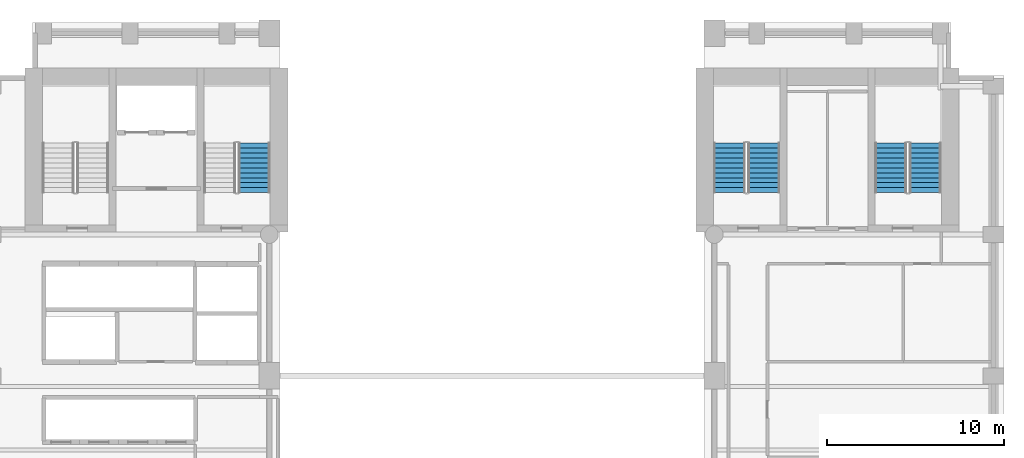
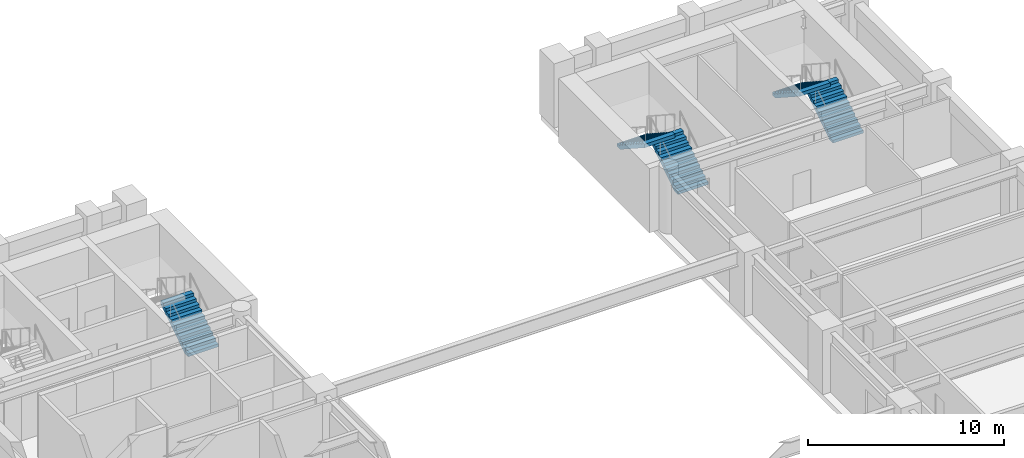
# One storey, part 5 of 7: 5 stair flights, 3 elements without a shape of their own.
"""IFC4 building model written with IfcOpenShell, lengths in metres."""

from ifc_helpers import new_model, si_unit, direction, frame, origin, place, context, subcontext, project, spatial, polyline, outline, extrude, material, type_object, element, aggregate, save


model = new_model("IFC4")

# Units and contexts
model_context = context("Model", 3, precision=1e-05, world=origin(), true_north=direction((0.0, 1.0)))
body_context = subcontext(model_context, "Body", "Model", "MODEL_VIEW")
ifc_project = project(units=[si_unit("LENGTHUNIT", "METRE"), si_unit("AREAUNIT", "SQUARE_METRE"), si_unit("VOLUMEUNIT", "CUBIC_METRE"), si_unit("PLANEANGLEUNIT", "RADIAN"), si_unit("MASSUNIT", "GRAM", prefix="KILO")], contexts=[model_context])

# Site, building, storey
site_placement = place(None, origin())
site = spatial("IfcSite", under=ifc_project, at=site_placement, CompositionType="ELEMENT")
building_placement = place(site_placement, origin())
building = spatial("IfcBuilding", under=site, at=building_placement, Name="Sulina Concourse Tower", CompositionType="ELEMENT")
storey_placement = place(building_placement, frame((0.0, 0.0, 26.60009765625)))
storey = spatial("IfcBuildingStorey", under=building, at=storey_placement, Name="L06", CompositionType="ELEMENT", Elevation=26.60009765625)

# Stair, stair flights
ifc_material_1 = material(Name="Concrete C50/60", Category="concrete")
stair_type_1 = type_object("IfcStairType", Name="Portal & Podium Core Exit Stair 1820mm", PredefinedType="HALF_TURN_STAIR", material=ifc_material_1)
stair_1_placement = place(storey_placement, origin())
stair_1 = element("IfcStair", 1, at=stair_1_placement, inside=storey, type_object=stair_type_1, Name="L06 ST-3", PredefinedType="HALF_TURN_STAIR")
ifc_material_2 = material(Name="Concrete C50/60", Category="concrete")
stair_flight_type_1 = type_object("IfcStairFlightType", Name="Portal & Podium Core Exit Stair 1820mm Flight", PredefinedType="STRAIGHT", material=ifc_material_2)
stair_flight_1_placement = place(storey_placement, frame((44.405029296875, 36.375, 0.0), z_axis=(0.0, 0.0, 1.0), x_axis=(0.0, 1.0, 0.0)))
stair_flight_1 = element("IfcStairFlight", 2, at=stair_flight_1_placement, type_object=stair_flight_type_1, Name="ST-3 flight 1", NumberOfRisers=11, NumberOfTreads=10, PredefinedType="STRAIGHT", RiserHeight=0.181818182, TreadLength=0.28, context=body_context, shape_type="SweptSolid", body=[
    extrude(outline(polyline([(0.0, 0.0), (0.0, 0.181884765625), (0.280029296875, 0.181884765625), (0.280029296875, 0.363525390625), (0.56005859375, 0.363525390625), (0.56005859375, 0.54541015625), (0.840087890625, 0.54541015625), (0.840087890625, 0.727294921875), (1.1201171875, 0.727294921875), (1.1201171875, 0.9091796875), (1.39990234375, 0.9091796875), (1.39990234375, 1.0908203125), (1.679931640625, 1.0908203125), (1.679931640625, 1.272705078125), (1.9599609375, 1.272705078125), (1.9599609375, 1.45458984375), (2.239990234375, 1.45458984375), (2.239990234375, 1.636474609375), (2.52001953125, 1.636474609375), (2.52001953125, 1.818115234375), (2.800048828125, 1.818115234375), (2.800048828125, 2.0), (2.800048828125, 1.603759765625), (0.330322265625, 0.0), (0.0, 0.0)])), frame((0.0, 0.89990234375, 0.0), z_axis=(0.0, -1.0, 0.0), x_axis=(1.0, 0.0, 0.0)), (0.0, 0.0, 1.0), 1.800048828125),
])
stair_flight_2_placement = place(storey_placement, frame((42.455078125, 39.175048828125, 2.0), z_axis=(0.0, 0.0, 1.0), x_axis=(0.0, -1.0, 0.0)))
stair_flight_2 = element("IfcStairFlight", 3, at=stair_flight_2_placement, type_object=stair_flight_type_1, Name="ST-3 flight 2", NumberOfRisers=11, NumberOfTreads=10, PredefinedType="STRAIGHT", RiserHeight=0.181818182, TreadLength=0.28, context=body_context, shape_type="SweptSolid", body=[
    extrude(outline(polyline([(0.0, 0.0), (0.0, 0.181884765625), (0.280029296875, 0.181884765625), (0.280029296875, 0.363525390625), (0.56005859375, 0.363525390625), (0.56005859375, 0.54541015625), (0.840087890625, 0.54541015625), (0.840087890625, 0.727294921875), (1.1201171875, 0.727294921875), (1.1201171875, 0.9091796875), (1.39990234375, 0.9091796875), (1.39990234375, 1.0908203125), (1.679931640625, 1.0908203125), (1.679931640625, 1.272705078125), (1.9599609375, 1.272705078125), (1.9599609375, 1.45458984375), (2.239990234375, 1.45458984375), (2.239990234375, 1.636474609375), (2.52001953125, 1.636474609375), (2.52001953125, 1.818115234375), (2.800048828125, 1.818115234375), (2.800048828125, 2.0), (2.800048828125, 1.603759765625), (0.330322265625, 0.0), (0.0, 0.0)])), frame((0.0, 0.89990234375, 0.0), z_axis=(0.0, -1.0, 0.0), x_axis=(1.0, 0.0, 0.0)), (0.0, 0.0, 1.0), 1.800048828125),
])
aggregate(stair_1, [stair_flight_1, stair_flight_2])

stair_2_placement = place(storey_placement, origin())
stair_2 = element("IfcStair", 4, at=stair_2_placement, inside=storey, type_object=stair_type_1, Name="L06 ST-4", PredefinedType="HALF_TURN_STAIR")
stair_flight_3_placement = place(storey_placement, frame((53.544921875, 36.375, 0.0), z_axis=(0.0, 0.0, 1.0), x_axis=(0.0, 1.0, 0.0)))
stair_flight_3 = element("IfcStairFlight", 5, at=stair_flight_3_placement, type_object=stair_flight_type_1, Name="ST-4 flight 1", NumberOfRisers=11, NumberOfTreads=10, PredefinedType="STRAIGHT", RiserHeight=0.181818182, TreadLength=0.28, context=body_context, shape_type="SweptSolid", body=[
    extrude(outline(polyline([(0.0, 0.0), (0.0, 0.181884765625), (0.280029296875, 0.181884765625), (0.280029296875, 0.363525390625), (0.56005859375, 0.363525390625), (0.56005859375, 0.54541015625), (0.840087890625, 0.54541015625), (0.840087890625, 0.727294921875), (1.1201171875, 0.727294921875), (1.1201171875, 0.9091796875), (1.39990234375, 0.9091796875), (1.39990234375, 1.0908203125), (1.679931640625, 1.0908203125), (1.679931640625, 1.272705078125), (1.9599609375, 1.272705078125), (1.9599609375, 1.45458984375), (2.239990234375, 1.45458984375), (2.239990234375, 1.636474609375), (2.52001953125, 1.636474609375), (2.52001953125, 1.818115234375), (2.800048828125, 1.818115234375), (2.800048828125, 2.0), (2.800048828125, 1.603759765625), (0.330322265625, 0.0), (0.0, 0.0)])), frame((0.0, 0.89990234375, 0.0), z_axis=(0.0, -1.0, 0.0), x_axis=(1.0, 0.0, 0.0)), (0.0, 0.0, 1.0), 1.800048828125),
])
stair_flight_4_placement = place(storey_placement, frame((51.594970703125, 39.175048828125, 2.0), z_axis=(0.0, 0.0, 1.0), x_axis=(0.0, -1.0, 0.0)))
stair_flight_4 = element("IfcStairFlight", 6, at=stair_flight_4_placement, type_object=stair_flight_type_1, Name="ST-4 flight 2", NumberOfRisers=11, NumberOfTreads=10, PredefinedType="STRAIGHT", RiserHeight=0.181818182, TreadLength=0.28, context=body_context, shape_type="SweptSolid", body=[
    extrude(outline(polyline([(0.0, 0.0), (0.0, 0.181884765625), (0.280029296875, 0.181884765625), (0.280029296875, 0.363525390625), (0.56005859375, 0.363525390625), (0.56005859375, 0.54541015625), (0.840087890625, 0.54541015625), (0.840087890625, 0.727294921875), (1.1201171875, 0.727294921875), (1.1201171875, 0.9091796875), (1.39990234375, 0.9091796875), (1.39990234375, 1.0908203125), (1.679931640625, 1.0908203125), (1.679931640625, 1.272705078125), (1.9599609375, 1.272705078125), (1.9599609375, 1.45458984375), (2.239990234375, 1.45458984375), (2.239990234375, 1.636474609375), (2.52001953125, 1.636474609375), (2.52001953125, 1.818115234375), (2.800048828125, 1.818115234375), (2.800048828125, 2.0), (2.800048828125, 1.603759765625), (0.330322265625, 0.0), (0.0, 0.0)])), frame((0.0, 0.89990234375, 0.0), z_axis=(0.0, -1.0, 0.0), x_axis=(1.0, 0.0, 0.0)), (0.0, 0.0, 1.0), 1.800048828125),
])
aggregate(stair_2, [stair_flight_3, stair_flight_4])

# Stair, stair flight
ifc_material_3 = material(Name="Concrete C50/60", Category="concrete")
stair_type_2 = type_object("IfcStairType", Name="Primary Core Dog-Leg Exit Stair 1800mm", PredefinedType="HALF_TURN_STAIR", material=ifc_material_3)
stair_3_placement = place(storey_placement, origin())
stair_3 = element("IfcStair", 7, at=stair_3_placement, inside=storey, type_object=stair_type_2, Name="L06 ST-2", PredefinedType="HALF_TURN_STAIR")
ifc_material_4 = material(Name="Concrete C50/60", Category="concrete")
stair_flight_type_2 = type_object("IfcStairFlightType", Name="Primary Core Dog-Leg Exit Stair 1800mm Flight", PredefinedType="STRAIGHT", material=ifc_material_4)
stair_flight_5_placement = place(storey_placement, frame((15.544921875, 36.375, 0.0), z_axis=(0.0, 0.0, 1.0), x_axis=(0.0, 1.0, 0.0)))
stair_flight_5 = element("IfcStairFlight", 8, at=stair_flight_5_placement, type_object=stair_flight_type_2, Name="ST-2 flight 1", NumberOfRisers=11, NumberOfTreads=10, PredefinedType="STRAIGHT", RiserHeight=0.181818182, TreadLength=0.28, context=body_context, shape_type="SweptSolid", body=[
    extrude(outline(polyline([(0.0, 0.0), (0.0, 0.181884765625), (0.280029296875, 0.181884765625), (0.280029296875, 0.363525390625), (0.56005859375, 0.363525390625), (0.56005859375, 0.54541015625), (0.840087890625, 0.54541015625), (0.840087890625, 0.727294921875), (1.1201171875, 0.727294921875), (1.1201171875, 0.9091796875), (1.39990234375, 0.9091796875), (1.39990234375, 1.0908203125), (1.679931640625, 1.0908203125), (1.679931640625, 1.272705078125), (1.9599609375, 1.272705078125), (1.9599609375, 1.45458984375), (2.239990234375, 1.45458984375), (2.239990234375, 1.636474609375), (2.52001953125, 1.636474609375), (2.52001953125, 1.818115234375), (2.800048828125, 1.818115234375), (2.800048828125, 2.0), (2.800048828125, 1.603759765625), (0.330322265625, 0.0), (0.0, 0.0)])), frame((0.0, 0.89990234375, 0.0), z_axis=(0.0, -1.0, 0.0), x_axis=(1.0, 0.0, 0.0)), (0.0, 0.0, 1.0), 1.800048828125),
])
aggregate(stair_3, [stair_flight_5])

save(model, "model.ifc")
